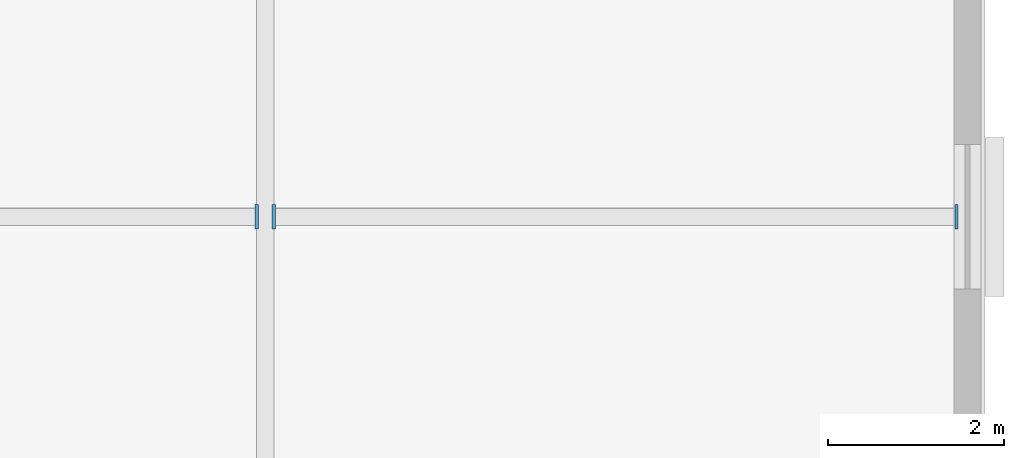
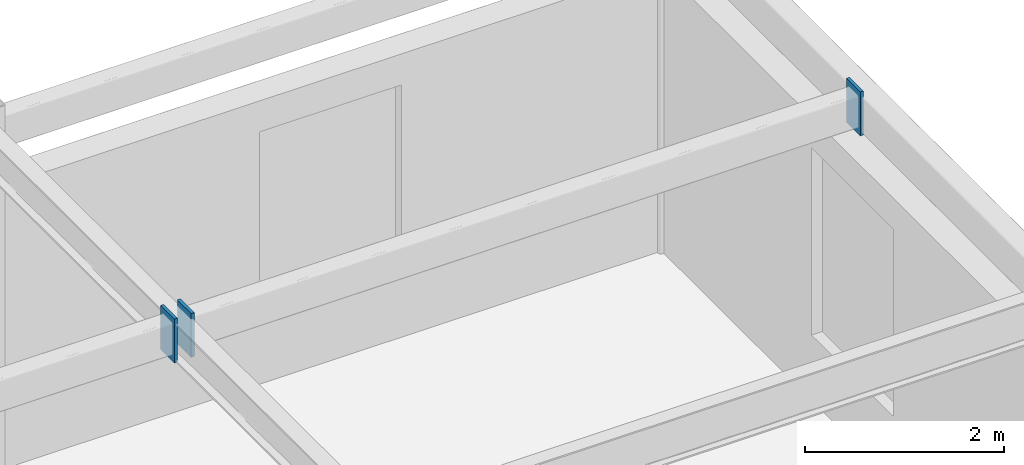
# One storey, part 81 of 93: 3 discrete accessories.
"""IFC4 building model written with IfcOpenShell, lengths in metres."""

from ifc_helpers import new_model, si_unit, direction, frame, origin, origin_2d, place, context, subcontext, project, spatial, rectangle, extrude, material, layer, layer_set, type_object, element, save


model = new_model("IFC4")

# Units and contexts
model_context = context("Model", 3, precision=1e-05, world=origin(), true_north=direction((0.0, 1.0)))
body_context = subcontext(model_context, "Body", "Model", "MODEL_VIEW")
ifc_project = project(units=[si_unit("LENGTHUNIT", "METRE"), si_unit("AREAUNIT", "SQUARE_METRE"), si_unit("VOLUMEUNIT", "CUBIC_METRE"), si_unit("PLANEANGLEUNIT", "RADIAN"), si_unit("MASSUNIT", "GRAM", prefix="KILO")], contexts=[model_context])

# Site, building, storey
site_placement = place(None, origin())
site = spatial("IfcSite", under=ifc_project, at=site_placement, CompositionType="ELEMENT")
building_placement = place(site_placement, origin())
building = spatial("IfcBuilding", under=site, at=building_placement, Name="Solmirada Galleria", CompositionType="ELEMENT")
storey_placement = place(building_placement, frame((0.0, 0.0, 14.89990234375)))
storey = spatial("IfcBuildingStorey", under=building, at=storey_placement, Name="L03", CompositionType="ELEMENT", Elevation=14.89990234375)

# Discrete accessories
ifc_material = material(Name="Steel S355 / ASTM A572 Grade 50", Category="steel")
ifc_layer = layer(ifc_material, 0.031982421875)
ifc_layer_set = layer_set([ifc_layer], Name="Steel S355 / ASTM A572 Grade 50")
discrete_accessory_type = type_object("IfcDiscreteAccessoryType", Name="ACC-COL-CAP", PredefinedType="BRACKET", material=ifc_layer_set)
for number, where, z_axis, x_axis, name in (
    (1, (167.903076171875, 116.0, 3.8271484375), (0.0, 0.0, 1.0), (1.0, 0.0, 0.0), "Hollow joist end plate L04-21-15-R"),
    (2, (168.096923828125, 116.0, 3.8271484375), (0.0, 0.0, 1.0), (1.0, 0.0, 0.0), "Hollow joist end plate L04-22-15-L"),
    (3, (175.873046875, 116.0, 3.8271484375), (0.0, 0.0, 1.0), (1.0, 0.0, 0.0), "Hollow joist end plate L04-22-15-R"),
):
    element("IfcDiscreteAccessory", number, at=place(storey_placement, frame(where, z_axis=z_axis, x_axis=x_axis)), inside=storey, type_object=discrete_accessory_type, Name=name, PredefinedType="BRACKET", context=body_context, shape_type="SweptSolid", body=[
        extrude(rectangle(XDim=0.035888671875, YDim=0.280029296875, at=origin_2d()), origin(), (0.0, 0.0, 1.0), 0.5400390625),
    ])

save(model, "model.ifc")
